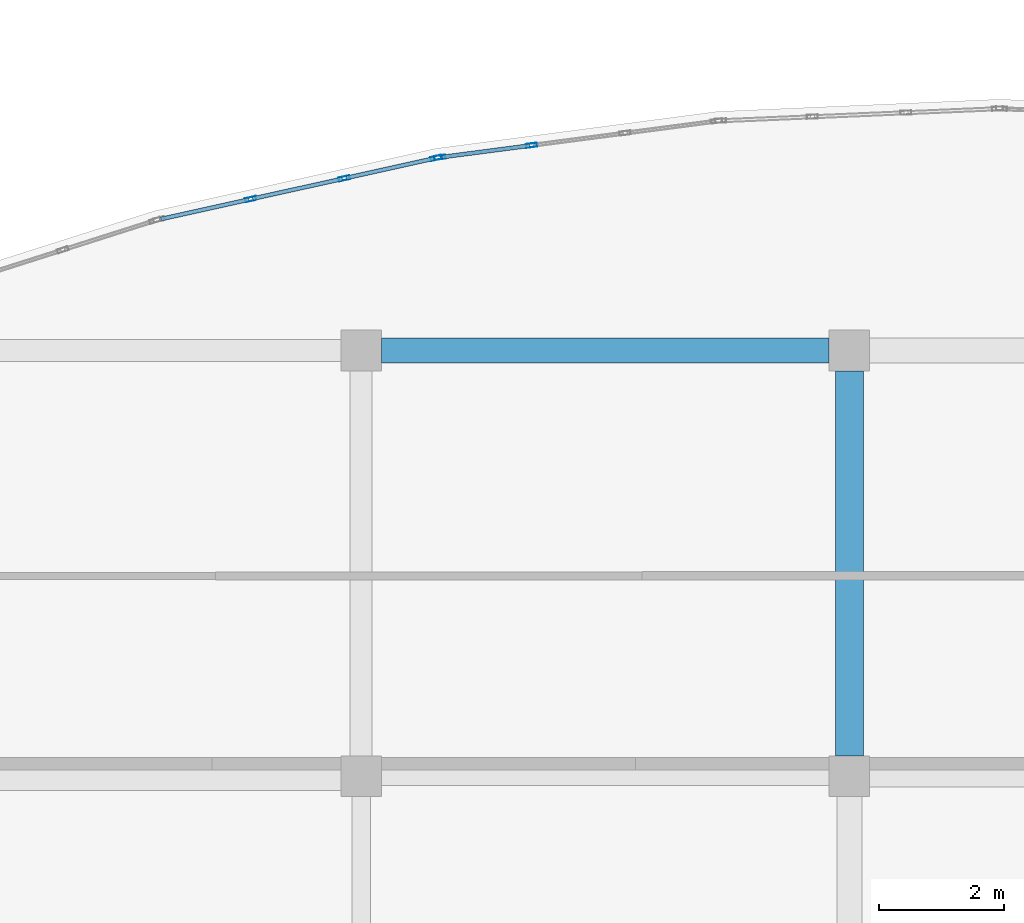
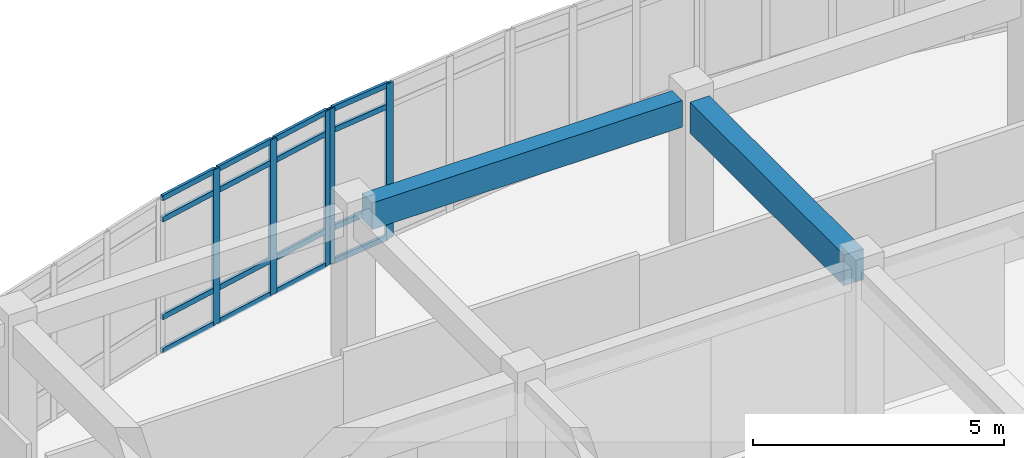
# One storey, part 54 of 146: 21 members, 2 beams, 2 elements without a shape of their own.
"""IFC4 building model written with IfcOpenShell, lengths in metres."""

from ifc_helpers import new_model, si_unit, direction, frame, origin, origin_2d, place, context, subcontext, project, spatial, rectangle, hollow_rectangle, extrude, material, layer, layer_set, material_profile, profile_set, type_object, element, aggregate, save


model = new_model("IFC4")

# Units and contexts
model_context = context("Model", 3, precision=1e-05, world=origin(), true_north=direction((0.0, 1.0)))
body_context = subcontext(model_context, "Body", "Model", "MODEL_VIEW")
ifc_project = project(units=[si_unit("LENGTHUNIT", "METRE"), si_unit("AREAUNIT", "SQUARE_METRE"), si_unit("VOLUMEUNIT", "CUBIC_METRE"), si_unit("PLANEANGLEUNIT", "RADIAN"), si_unit("MASSUNIT", "GRAM", prefix="KILO")], contexts=[model_context])

# Site, building, storey
site_placement = place(None, origin())
site = spatial("IfcSite", under=ifc_project, at=site_placement, CompositionType="ELEMENT")
building_placement = place(site_placement, origin())
building = spatial("IfcBuilding", under=site, at=building_placement, Name="Valcora Specialist Clinic", CompositionType="ELEMENT")
storey_placement = place(building_placement, frame((0.0, 0.0, 9.52001953125)))
storey = spatial("IfcBuildingStorey", under=building, at=storey_placement, Name="L02", CompositionType="ELEMENT", Elevation=9.52001953125)

# Beams
ifc_material_1 = material(Name="Concrete C40/50", Category="concrete")
ifc_material_profile_1 = material_profile(ifc_material_1, rectangle(XDim=0.39990234375, YDim=0.64990234375, at=origin_2d()), Name="RC-BM-400X650")
ifc_profile_set_1 = profile_set([ifc_material_profile_1], Name="Concrete C40/50")
beam_type_1 = type_object("IfcBeamType", Name="TY-BM-RC400X650", PredefinedType="BEAM", material=ifc_profile_set_1)
beam_1_placement = place(storey_placement, frame((77.125, 22.0, 3.455078125), z_axis=(1.0, 0.0, 0.0), x_axis=(0.0, 1.0, 0.0)))
element("IfcBeam", 1, at=beam_1_placement, inside=storey, type_object=beam_type_1, Name="Beam BM-L02-1389", PredefinedType="BEAM", context=body_context, shape_type="SweptSolid", body=[
    extrude(rectangle(XDim=0.39990234375, YDim=0.64990234375, at=origin_2d()), origin(), (0.0, 0.0, 1.0), 7.14990234375),
])
ifc_material_profile_2 = material_profile(ifc_material_1, rectangle(XDim=0.449951171875, YDim=0.75, at=origin_2d()), Name="RC-BM-450X750")
ifc_profile_set_2 = profile_set([ifc_material_profile_2], Name="Concrete C40/50")
beam_type_2 = type_object("IfcBeamType", Name="TY-BM-RC450X750", PredefinedType="BEAM", material=ifc_profile_set_2)
beam_2_placement = place(storey_placement, frame((84.60009765625, 15.52490234375, 3.405029296875), z_axis=(0.0, 1.0, 0.0), x_axis=(-1.0, 0.0, 0.0)))
element("IfcBeam", 2, at=beam_2_placement, inside=storey, type_object=beam_type_2, Name="Beam BM-L02-1407", PredefinedType="BEAM", context=body_context, shape_type="SweptSolid", body=[
    extrude(rectangle(XDim=0.449951171875, YDim=0.75, at=origin_2d()), origin(), (0.0, 0.0, 1.0), 6.150146484375),
])

# Curtain wall, members
ifc_material_2 = material(Name="Anodized Bronze Aluminium 6063-T6", Category="aluminium")
ifc_layer = layer(ifc_material_2, 0.175048828125)
ifc_layer_set = layer_set([ifc_layer], Name="Anodized Bronze Aluminium 6063-T6")
curtain_wall_type = type_object("IfcCurtainWallType", Name="TY-CW-ARC40", PredefinedType="NOTDEFINED", material=ifc_layer_set)
curtain_wall_1_placement = place(storey_placement, origin())
curtain_wall_1 = element("IfcCurtainWall", 3, at=curtain_wall_1_placement, inside=storey, type_object=curtain_wall_type, Name="Curtain wall CW-L02-203", PredefinedType="NOTDEFINED")
ifc_material_profile_3 = material_profile(ifc_material_2, hollow_rectangle(XDim=0.06494140625, YDim=0.175048828125, WallThickness=0.00390625, at=origin_2d()), Name="AL-MUL-65X175")
ifc_profile_set_3 = profile_set([ifc_material_profile_3], Name="Anodized Bronze Aluminium 6063-T6")
member_type_1 = type_object("IfcMemberType", Name="TY-CWM-65X175", PredefinedType="MULLION", material=ifc_profile_set_3)
member_1_placement = place(storey_placement, frame((75.03466796875, 24.418701171875, 0.0), z_axis=(0.0, 0.0, 1.0), x_axis=(-0.216518052372, 0.976278614432, 0.0)))
member_1 = element("IfcMember", 4, at=member_1_placement, type_object=member_type_1, Name="CW-ARC-40 mullion 2", PredefinedType="MULLION", context=body_context, shape_type="SweptSolid", body=[
    extrude(hollow_rectangle(XDim=0.06494140625, YDim=0.175048828125, WallThickness=0.00390625, at=origin_2d()), origin(), (0.0, 0.0, 1.0), 3.780029296875),
])
member_2_placement = place(storey_placement, frame((76.5302734375, 24.75048828125, 0.0), z_axis=(0.0, 0.0, 1.0), x_axis=(-0.216518052372, 0.976278614432, 0.0)))
member_2 = element("IfcMember", 5, at=member_2_placement, type_object=member_type_1, Name="CW-ARC-40 mullion 3", PredefinedType="MULLION", context=body_context, shape_type="SweptSolid", body=[
    extrude(hollow_rectangle(XDim=0.06494140625, YDim=0.175048828125, WallThickness=0.00390625, at=origin_2d()), origin(), (0.0, 0.0, 1.0), 3.780029296875),
])
member_3_placement = place(storey_placement, frame((77.994384765625, 25.074951171875, 0.0), z_axis=(0.0, 0.0, 1.0), x_axis=(-0.216518052372, 0.976278614432, 0.0)))
member_3 = element("IfcMember", 6, at=member_3_placement, type_object=member_type_1, Name="CW-ARC-40 mullion 4", PredefinedType="MULLION", context=body_context, shape_type="SweptSolid", body=[
    extrude(hollow_rectangle(XDim=0.06494140625, YDim=0.175048828125, WallThickness=0.00390625, at=origin_2d()), origin(), (0.0, 0.0, 1.0), 3.780029296875),
])

curtain_wall_2_placement = place(storey_placement, origin())
curtain_wall_2 = element("IfcCurtainWall", 7, at=curtain_wall_2_placement, inside=storey, type_object=curtain_wall_type, Name="Curtain wall CW-L02-204", PredefinedType="NOTDEFINED")
member_4_placement = place(storey_placement, frame((78.05810546875, 25.08642578125, 0.0), z_axis=(0.0, 0.0, 1.0), x_axis=(-0.129999492259, 0.991514060421, 0.0)))
member_4 = element("IfcMember", 8, at=member_4_placement, type_object=member_type_1, Name="CW-ARC-40 mullion 1", PredefinedType="MULLION", context=body_context, shape_type="SweptSolid", body=[
    extrude(hollow_rectangle(XDim=0.06494140625, YDim=0.175048828125, WallThickness=0.00390625, at=origin_2d()), origin(), (0.0, 0.0, 1.0), 3.780029296875),
])
member_5_placement = place(storey_placement, frame((79.521728515625, 25.2783203125, 0.0), z_axis=(0.0, 0.0, 1.0), x_axis=(-0.129999492259, 0.991514060421, 0.0)))
member_5 = element("IfcMember", 9, at=member_5_placement, type_object=member_type_1, Name="CW-ARC-40 mullion 2", PredefinedType="MULLION", context=body_context, shape_type="SweptSolid", body=[
    extrude(hollow_rectangle(XDim=0.06494140625, YDim=0.175048828125, WallThickness=0.00390625, at=origin_2d()), origin(), (0.0, 0.0, 1.0), 3.780029296875),
])

# Member
ifc_material_profile_4 = material_profile(ifc_material_2, hollow_rectangle(XDim=0.06494140625, YDim=0.1298828125, WallThickness=0.00390625, at=origin_2d()), Name="AL-TRN-65X130")
ifc_profile_set_4 = profile_set([ifc_material_profile_4], Name="Anodized Bronze Aluminium 6063-T6")
member_type_2 = type_object("IfcMemberType", Name="TY-CWT-65X130", PredefinedType="USERDEFINED", material=ifc_profile_set_4)
member_6_placement = place(storey_placement, frame((73.6025390625, 24.10107421875, 0.032470703125), z_axis=(0.976283078872, 0.216497921256, 0.0), x_axis=(-0.216497921256, 0.976283078872, 0.0)))
member_6 = element("IfcMember", 10, at=member_6_placement, type_object=member_type_2, Name="CW-ARC-40 transom 1.1", ObjectType="TRANSOM", PredefinedType="USERDEFINED", context=body_context, shape_type="SweptSolid", body=[
    extrude(hollow_rectangle(XDim=0.06494140625, YDim=0.1298828125, WallThickness=0.00390625, at=origin_2d()), origin(), (0.0, 0.0, 1.0), 1.434326171875),
])

member_7_placement = place(storey_placement, frame((73.6025390625, 24.10107421875, 0.85009765625), z_axis=(0.976283078872, 0.216497921256, 0.0), x_axis=(-0.216497921256, 0.976283078872, 0.0)))
member_7 = element("IfcMember", 11, at=member_7_placement, type_object=member_type_2, Name="CW-ARC-40 transom 1.2", ObjectType="TRANSOM", PredefinedType="USERDEFINED", context=body_context, shape_type="SweptSolid", body=[
    extrude(hollow_rectangle(XDim=0.06494140625, YDim=0.1298828125, WallThickness=0.00390625, at=origin_2d()), origin(), (0.0, 0.0, 1.0), 1.434326171875),
])

member_8_placement = place(storey_placement, frame((73.6025390625, 24.10107421875, 3.22998046875), z_axis=(0.976283078872, 0.216497921256, 0.0), x_axis=(-0.216497921256, 0.976283078872, 0.0)))
member_8 = element("IfcMember", 12, at=member_8_placement, type_object=member_type_2, Name="CW-ARC-40 transom 1.3", ObjectType="TRANSOM", PredefinedType="USERDEFINED", context=body_context, shape_type="SweptSolid", body=[
    extrude(hollow_rectangle(XDim=0.06494140625, YDim=0.1298828125, WallThickness=0.00390625, at=origin_2d()), origin(), (0.0, 0.0, 1.0), 1.434326171875),
])

member_9_placement = place(storey_placement, frame((73.6025390625, 24.10107421875, 3.74755859375), z_axis=(0.976283078872, 0.216497921256, 0.0), x_axis=(-0.216497921256, 0.976283078872, 0.0)))
member_9 = element("IfcMember", 13, at=member_9_placement, type_object=member_type_2, Name="CW-ARC-40 transom 1.4", ObjectType="TRANSOM", PredefinedType="USERDEFINED", context=body_context, shape_type="SweptSolid", body=[
    extrude(hollow_rectangle(XDim=0.06494140625, YDim=0.1298828125, WallThickness=0.00390625, at=origin_2d()), origin(), (0.0, 0.0, 1.0), 1.434326171875),
])

member_10_placement = place(storey_placement, frame((75.06640625, 24.42578125, 0.032470703125), z_axis=(0.976277043921, 0.216525133676, 0.0), x_axis=(-0.216525133676, 0.976277043921, 0.0)))
member_10 = element("IfcMember", 14, at=member_10_placement, type_object=member_type_2, Name="CW-ARC-40 transom 2.1", ObjectType="TRANSOM", PredefinedType="USERDEFINED", context=body_context, shape_type="SweptSolid", body=[
    extrude(hollow_rectangle(XDim=0.06494140625, YDim=0.1298828125, WallThickness=0.00390625, at=origin_2d()), origin(), (0.0, 0.0, 1.0), 1.467041015625),
])

member_11_placement = place(storey_placement, frame((75.06640625, 24.42578125, 0.85009765625), z_axis=(0.976277043921, 0.216525133676, 0.0), x_axis=(-0.216525133676, 0.976277043921, 0.0)))
member_11 = element("IfcMember", 15, at=member_11_placement, type_object=member_type_2, Name="CW-ARC-40 transom 2.2", ObjectType="TRANSOM", PredefinedType="USERDEFINED", context=body_context, shape_type="SweptSolid", body=[
    extrude(hollow_rectangle(XDim=0.06494140625, YDim=0.1298828125, WallThickness=0.00390625, at=origin_2d()), origin(), (0.0, 0.0, 1.0), 1.467041015625),
])

member_12_placement = place(storey_placement, frame((75.06640625, 24.42578125, 3.22998046875), z_axis=(0.976277043921, 0.216525133676, 0.0), x_axis=(-0.216525133676, 0.976277043921, 0.0)))
member_12 = element("IfcMember", 16, at=member_12_placement, type_object=member_type_2, Name="CW-ARC-40 transom 2.3", ObjectType="TRANSOM", PredefinedType="USERDEFINED", context=body_context, shape_type="SweptSolid", body=[
    extrude(hollow_rectangle(XDim=0.06494140625, YDim=0.1298828125, WallThickness=0.00390625, at=origin_2d()), origin(), (0.0, 0.0, 1.0), 1.467041015625),
])

member_13_placement = place(storey_placement, frame((75.06640625, 24.42578125, 3.74755859375), z_axis=(0.976277043921, 0.216525133676, 0.0), x_axis=(-0.216525133676, 0.976277043921, 0.0)))
member_13 = element("IfcMember", 17, at=member_13_placement, type_object=member_type_2, Name="CW-ARC-40 transom 2.4", ObjectType="TRANSOM", PredefinedType="USERDEFINED", context=body_context, shape_type="SweptSolid", body=[
    extrude(hollow_rectangle(XDim=0.06494140625, YDim=0.1298828125, WallThickness=0.00390625, at=origin_2d()), origin(), (0.0, 0.0, 1.0), 1.467041015625),
])

member_14_placement = place(storey_placement, frame((76.56201171875, 24.75732421875, 0.032470703125), z_axis=(0.976255079417, 0.216624144343, 0.0), x_axis=(-0.216624144343, 0.976255079417, 0.0)))
member_14 = element("IfcMember", 18, at=member_14_placement, type_object=member_type_2, Name="CW-ARC-40 transom 3.1", ObjectType="TRANSOM", PredefinedType="USERDEFINED", context=body_context, shape_type="SweptSolid", body=[
    extrude(hollow_rectangle(XDim=0.06494140625, YDim=0.1298828125, WallThickness=0.00390625, at=origin_2d()), origin(), (0.0, 0.0, 1.0), 1.434814453125),
])

member_15_placement = place(storey_placement, frame((76.56201171875, 24.75732421875, 0.85009765625), z_axis=(0.976255079417, 0.216624144343, 0.0), x_axis=(-0.216624144343, 0.976255079417, 0.0)))
member_15 = element("IfcMember", 19, at=member_15_placement, type_object=member_type_2, Name="CW-ARC-40 transom 3.2", ObjectType="TRANSOM", PredefinedType="USERDEFINED", context=body_context, shape_type="SweptSolid", body=[
    extrude(hollow_rectangle(XDim=0.06494140625, YDim=0.1298828125, WallThickness=0.00390625, at=origin_2d()), origin(), (0.0, 0.0, 1.0), 1.434814453125),
])

member_16_placement = place(storey_placement, frame((76.56201171875, 24.75732421875, 3.22998046875), z_axis=(0.976255079417, 0.216624144343, 0.0), x_axis=(-0.216624144343, 0.976255079417, 0.0)))
member_16 = element("IfcMember", 20, at=member_16_placement, type_object=member_type_2, Name="CW-ARC-40 transom 3.3", ObjectType="TRANSOM", PredefinedType="USERDEFINED", context=body_context, shape_type="SweptSolid", body=[
    extrude(hollow_rectangle(XDim=0.06494140625, YDim=0.1298828125, WallThickness=0.00390625, at=origin_2d()), origin(), (0.0, 0.0, 1.0), 1.434814453125),
])

member_17_placement = place(storey_placement, frame((76.56201171875, 24.75732421875, 3.74755859375), z_axis=(0.976255079417, 0.216624144343, 0.0), x_axis=(-0.216624144343, 0.976255079417, 0.0)))
member_17 = element("IfcMember", 21, at=member_17_placement, type_object=member_type_2, Name="CW-ARC-40 transom 3.4", ObjectType="TRANSOM", PredefinedType="USERDEFINED", context=body_context, shape_type="SweptSolid", body=[
    extrude(hollow_rectangle(XDim=0.06494140625, YDim=0.1298828125, WallThickness=0.00390625, at=origin_2d()), origin(), (0.0, 0.0, 1.0), 1.434814453125),
])

aggregate(curtain_wall_1, [member_1, member_2, member_3, member_6, member_7, member_8, member_9, member_10, member_11, member_12, member_13, member_14, member_15, member_16, member_17])

member_18_placement = place(storey_placement, frame((78.09033203125, 25.090576171875, 0.032470703125), z_axis=(0.991523055248, 0.129930869742, 0.0), x_axis=(-0.129930869742, 0.991523055248, 0.0)))
member_18 = element("IfcMember", 22, at=member_18_placement, type_object=member_type_2, Name="CW-ARC-40 transom 1.1", ObjectType="TRANSOM", PredefinedType="USERDEFINED", context=body_context, shape_type="SweptSolid", body=[
    extrude(hollow_rectangle(XDim=0.06494140625, YDim=0.1298828125, WallThickness=0.00390625, at=origin_2d()), origin(), (0.0, 0.0, 1.0), 1.4111328125),
])

member_19_placement = place(storey_placement, frame((78.09033203125, 25.090576171875, 0.85009765625), z_axis=(0.991523055248, 0.129930869742, 0.0), x_axis=(-0.129930869742, 0.991523055248, 0.0)))
member_19 = element("IfcMember", 23, at=member_19_placement, type_object=member_type_2, Name="CW-ARC-40 transom 1.2", ObjectType="TRANSOM", PredefinedType="USERDEFINED", context=body_context, shape_type="SweptSolid", body=[
    extrude(hollow_rectangle(XDim=0.06494140625, YDim=0.1298828125, WallThickness=0.00390625, at=origin_2d()), origin(), (0.0, 0.0, 1.0), 1.4111328125),
])

member_20_placement = place(storey_placement, frame((78.09033203125, 25.090576171875, 3.22998046875), z_axis=(0.991523055248, 0.129930869742, 0.0), x_axis=(-0.129930869742, 0.991523055248, 0.0)))
member_20 = element("IfcMember", 24, at=member_20_placement, type_object=member_type_2, Name="CW-ARC-40 transom 1.3", ObjectType="TRANSOM", PredefinedType="USERDEFINED", context=body_context, shape_type="SweptSolid", body=[
    extrude(hollow_rectangle(XDim=0.06494140625, YDim=0.1298828125, WallThickness=0.00390625, at=origin_2d()), origin(), (0.0, 0.0, 1.0), 1.4111328125),
])

member_21_placement = place(storey_placement, frame((78.09033203125, 25.090576171875, 3.74755859375), z_axis=(0.991523055248, 0.129930869742, 0.0), x_axis=(-0.129930869742, 0.991523055248, 0.0)))
member_21 = element("IfcMember", 25, at=member_21_placement, type_object=member_type_2, Name="CW-ARC-40 transom 1.4", ObjectType="TRANSOM", PredefinedType="USERDEFINED", context=body_context, shape_type="SweptSolid", body=[
    extrude(hollow_rectangle(XDim=0.06494140625, YDim=0.1298828125, WallThickness=0.00390625, at=origin_2d()), origin(), (0.0, 0.0, 1.0), 1.4111328125),
])

aggregate(curtain_wall_2, [member_4, member_5, member_18, member_19, member_20, member_21])

save(model, "model.ifc")
